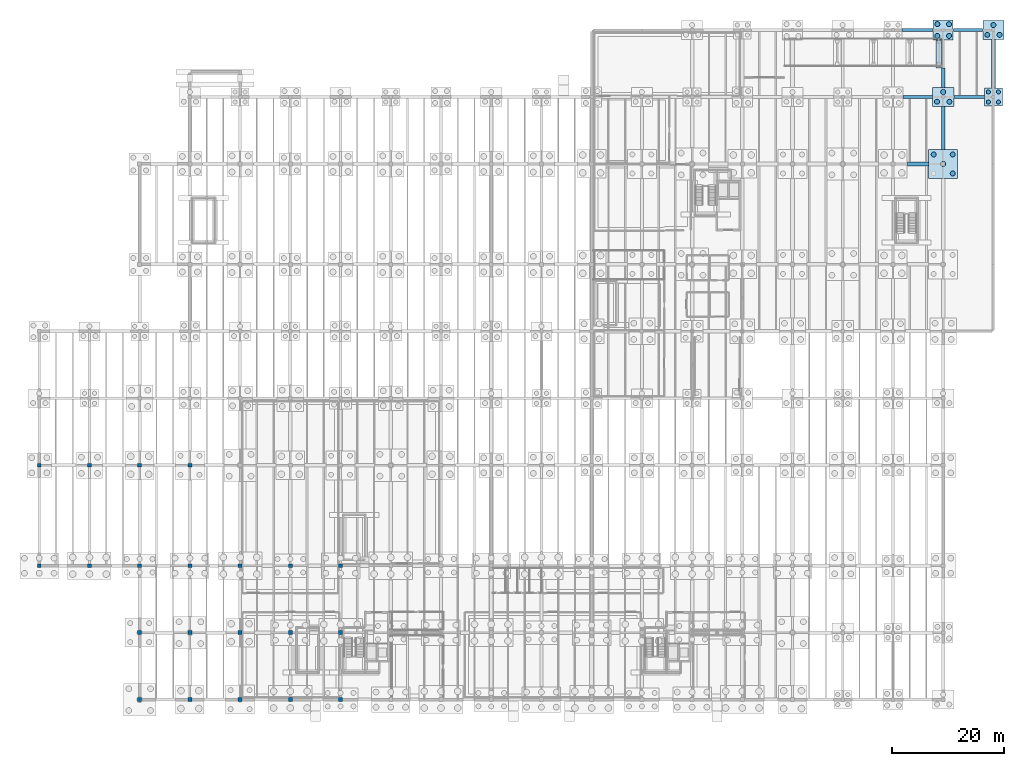
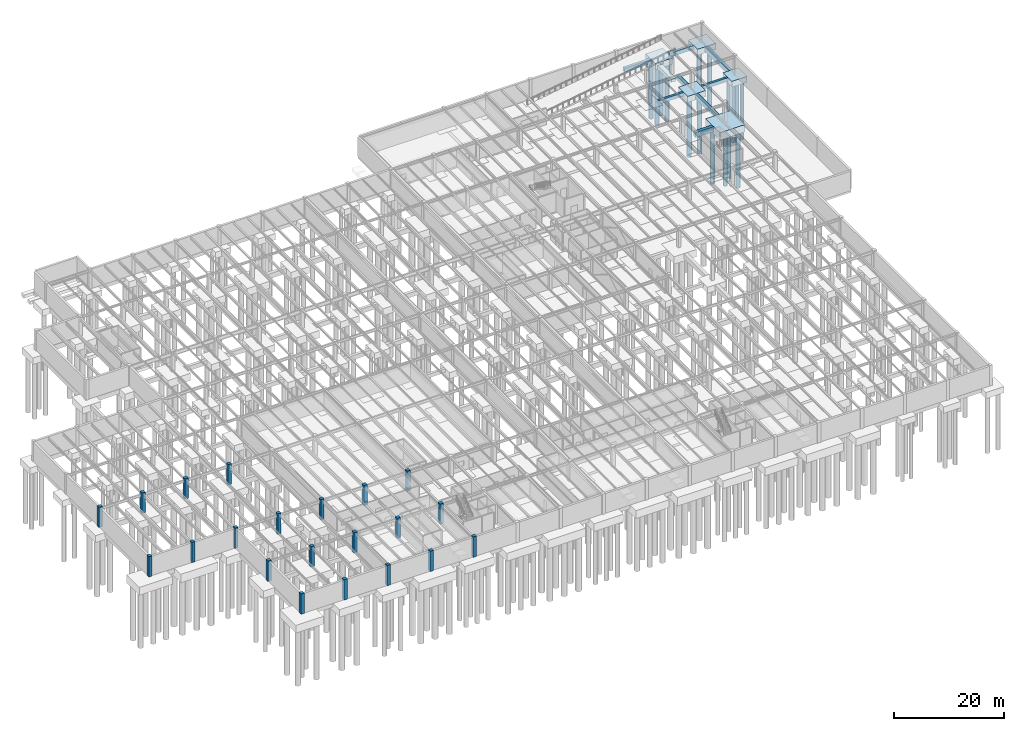
# One storey, part 13 of 40: 21 columns, 18 piles, 14 footings.
"""IFC4 building model written with IfcOpenShell, lengths in metres."""

from ifc_helpers import new_model, si_unit, direction, frame, origin, origin_2d, place, context, subcontext, project, spatial, polyline, rectangle, circle, outline, extrude, material, material_profile, profile_set, type_object, element, save


model = new_model("IFC4")

# Units and contexts
model_context = context("Model", 3, precision=1e-05, world=origin(), true_north=direction((0.0, 1.0)))
body_context = subcontext(model_context, "Body", "Model", "MODEL_VIEW")
ifc_project = project(units=[si_unit("LENGTHUNIT", "METRE"), si_unit("AREAUNIT", "SQUARE_METRE"), si_unit("VOLUMEUNIT", "CUBIC_METRE"), si_unit("PLANEANGLEUNIT", "RADIAN"), si_unit("MASSUNIT", "GRAM", prefix="KILO")], contexts=[model_context])

# Site, building, storey
site_placement = place(None, origin())
site = spatial("IfcSite", under=ifc_project, at=site_placement, CompositionType="ELEMENT")
building_placement = place(site_placement, origin())
building = spatial("IfcBuilding", under=site, at=building_placement, Name="Montelvaro Courts of Justice", CompositionType="ELEMENT")
storey_placement = place(building_placement, frame((0.0, 0.0, -4.5)))
storey = spatial("IfcBuildingStorey", under=building, at=storey_placement, Name="B01", CompositionType="ELEMENT", Elevation=-4.5)

# Piles
ifc_material_1 = material(Name="Concrete C35/45", Category="concrete")
ifc_material_profile_1 = material_profile(ifc_material_1, circle(Radius=0.375, at=origin_2d()), Name="BORED PILE D750")
ifc_profile_set_1 = profile_set([ifc_material_profile_1], Name="Concrete C35/45")
pile_type_1 = type_object("IfcPileType", Name="BoredPile_750", PredefinedType="BORED", material=ifc_profile_set_1)
for number, where, z_axis, x_axis, name in (
    (1, (170.10009765625, 107.10009765625, -1.199951171875), (0.0, 0.0, -1.0), (1.0, 0.0, 0.0), "Bored Pile BP-01 20/I-1"),
    (2, (171.89990234375, 107.10009765625, -1.199951171875), (0.0, 0.0, -1.0), (1.0, 0.0, 0.0), "Bored Pile BP-01 20/I-2"),
    (3, (170.10009765625, 108.89990234375, -1.199951171875), (0.0, 0.0, -1.0), (1.0, 0.0, 0.0), "Bored Pile BP-01 20/I-3"),
    (4, (171.89990234375, 108.89990234375, -1.199951171875), (0.0, 0.0, -1.0), (1.0, 0.0, 0.0), "Bored Pile BP-01 20/I-4"),
):
    element("IfcPile", number, at=place(storey_placement, frame(where, z_axis=z_axis, x_axis=x_axis)), inside=storey, type_object=pile_type_1, Name=name, PredefinedType="BORED", context=body_context, shape_type="SweptSolid", body=[
        extrude(circle(Radius=0.375, at=origin_2d()), origin(), (0.0, 0.0, 1.0), 12.800048828125),
    ])
ifc_material_profile_2 = material_profile(ifc_material_1, circle(Radius=0.449951171875, at=origin_2d()), Name="BORED PILE D900")
ifc_profile_set_2 = profile_set([ifc_material_profile_2], Name="Concrete C35/45")
pile_type_2 = type_object("IfcPileType", Name="BoredPile_900", PredefinedType="BORED", material=ifc_profile_set_2)
for number, where, z_axis, x_axis, name in (
    (5, (163.699951171875, 94.300048828125, -1.5), (0.0, 0.0, -1.0), (1.0, 0.0, 0.0), "Bored Pile BP-02 19/H-2"),
    (6, (162.0, 96.0, -1.5), (0.0, 0.0, -1.0), (1.0, 0.0, 0.0), "Bored Pile BP-02 19/H-3"),
    (7, (160.300048828125, 97.699951171875, -1.5), (0.0, 0.0, -1.0), (1.0, 0.0, 0.0), "Bored Pile BP-02 19/H-4"),
    (8, (163.699951171875, 97.699951171875, -1.5), (0.0, 0.0, -1.0), (1.0, 0.0, 0.0), "Bored Pile BP-02 19/H-5"),
):
    element("IfcPile", number, at=place(storey_placement, frame(where, z_axis=z_axis, x_axis=x_axis)), inside=storey, type_object=pile_type_2, Name=name, PredefinedType="BORED", context=body_context, shape_type="SweptSolid", body=[
        extrude(circle(Radius=0.449951171875, at=origin_2d()), origin(), (0.0, 0.0, 1.0), 12.5),
    ])
for number, where, z_axis, x_axis, name in (
    (9, (160.89990234375, 107.14990234375, -1.25), (0.0, 0.0, -1.0), (1.0, 0.0, 0.0), "Bored Pile BP-02 19/I-1"),
    (10, (163.10009765625, 107.14990234375, -1.25), (0.0, 0.0, -1.0), (1.0, 0.0, 0.0), "Bored Pile BP-02 19/I-2"),
    (11, (162.0, 108.89990234375, -1.25), (0.0, 0.0, -1.0), (1.0, 0.0, 0.0), "Bored Pile BP-02 19/I-3"),
):
    element("IfcPile", number, at=place(storey_placement, frame(where, z_axis=z_axis, x_axis=x_axis)), inside=storey, type_object=pile_type_2, Name=name, PredefinedType="BORED", context=body_context, shape_type="SweptSolid", body=[
        extrude(circle(Radius=0.449951171875, at=origin_2d()), origin(), (0.0, 0.0, 1.0), 12.75),
    ])
for number, where, z_axis, x_axis, name in (
    (12, (160.949951171875, 118.949951171875, -1.300048828125), (0.0, 0.0, -1.0), (1.0, 0.0, 0.0), "Bored Pile BP-02 19/J-1"),
    (13, (163.050048828125, 118.949951171875, -1.300048828125), (0.0, 0.0, -1.0), (1.0, 0.0, 0.0), "Bored Pile BP-02 19/J-2"),
    (14, (160.949951171875, 121.050048828125, -1.300048828125), (0.0, 0.0, -1.0), (1.0, 0.0, 0.0), "Bored Pile BP-02 19/J-3"),
    (15, (163.050048828125, 121.050048828125, -1.300048828125), (0.0, 0.0, -1.0), (1.0, 0.0, 0.0), "Bored Pile BP-02 19/J-4"),
):
    element("IfcPile", number, at=place(storey_placement, frame(where, z_axis=z_axis, x_axis=x_axis)), inside=storey, type_object=pile_type_2, Name=name, PredefinedType="BORED", context=body_context, shape_type="SweptSolid", body=[
        extrude(circle(Radius=0.449951171875, at=origin_2d()), origin(), (0.0, 0.0, 1.0), 12.699951171875),
    ])
for number, where, z_axis, x_axis, name in (
    (16, (169.89990234375, 119.14990234375, -1.25), (0.0, 0.0, -1.0), (1.0, 0.0, 0.0), "Bored Pile BP-02 20/J-1"),
    (17, (172.10009765625, 119.14990234375, -1.25), (0.0, 0.0, -1.0), (1.0, 0.0, 0.0), "Bored Pile BP-02 20/J-2"),
    (18, (171.0, 120.89990234375, -1.25), (0.0, 0.0, -1.0), (1.0, 0.0, 0.0), "Bored Pile BP-02 20/J-3"),
):
    element("IfcPile", number, at=place(storey_placement, frame(where, z_axis=z_axis, x_axis=x_axis)), inside=storey, type_object=pile_type_2, Name=name, PredefinedType="BORED", context=body_context, shape_type="SweptSolid", body=[
        extrude(circle(Radius=0.449951171875, at=origin_2d()), origin(), (0.0, 0.0, 1.0), 12.75),
    ])

# Footings
footing_type_1 = type_object("IfcFootingType", Name="GroundBeam_500x800", PredefinedType="FOOTING_BEAM", material=ifc_material_1)
footing_1_placement = place(storey_placement, frame((0.0, 0.0, -0.800048828125)))
element("IfcFooting", 19, at=footing_1_placement, inside=storey, type_object=footing_type_1, Name="Foundation Ground Beam GB-01", PredefinedType="FOOTING_BEAM", context=body_context, shape_type="SweptSolid", body=[
    extrude(outline(polyline([(154.820068359375, 107.75), (160.080078125, 107.75), (160.080078125, 108.25), (154.820068359375, 108.25), (154.820068359375, 107.75)])), origin(), (0.0, 0.0, 1.0), 0.800048828125),
])
footing_2_placement = place(storey_placement, frame((0.0, 0.0, -0.800048828125)))
element("IfcFooting", 20, at=footing_2_placement, inside=storey, type_object=footing_type_1, Name="Foundation Ground Beam GB-01", PredefinedType="FOOTING_BEAM", context=body_context, shape_type="SweptSolid", body=[
    extrude(outline(polyline([(163.919921875, 107.75), (169.3798828125, 107.75), (169.3798828125, 108.25), (163.919921875, 108.25), (163.919921875, 107.75)])), origin(), (0.0, 0.0, 1.0), 0.800048828125),
])
footing_type_2 = type_object("IfcFootingType", Name="GroundBeam_600x1000", PredefinedType="FOOTING_BEAM", material=ifc_material_1)
footing_3_placement = place(storey_placement, frame((0.0, 0.0, -1.0)))
element("IfcFooting", 21, at=footing_3_placement, inside=storey, type_object=footing_type_2, Name="Foundation Ground Beam GB-03", PredefinedType="FOOTING_BEAM", context=body_context, shape_type="SweptSolid", body=[
    extrude(outline(polyline([(161.699951171875, 98.6201171875), (162.300048828125, 98.6201171875), (162.300048828125, 106.280029296875), (161.699951171875, 106.280029296875), (161.699951171875, 98.6201171875)])), origin(), (0.0, 0.0, 1.0), 1.0),
])
footing_4_placement = place(storey_placement, frame((0.0, 0.0, -1.0)))
element("IfcFooting", 22, at=footing_4_placement, inside=storey, type_object=footing_type_2, Name="Foundation Ground Beam GB-03", PredefinedType="FOOTING_BEAM", context=body_context, shape_type="SweptSolid", body=[
    extrude(outline(polyline([(161.699951171875, 109.719970703125), (162.300048828125, 109.719970703125), (162.300048828125, 113.179931640625), (161.699951171875, 113.179931640625), (161.699951171875, 109.719970703125)])), origin(), (0.0, 0.0, 1.0), 1.0),
])
footing_type_3 = type_object("IfcFootingType", Name="GroundBeam_600x900", PredefinedType="FOOTING_BEAM", material=ifc_material_1)
footing_5_placement = place(storey_placement, frame((0.0, 0.0, -0.89990234375)))
element("IfcFooting", 23, at=footing_5_placement, inside=storey, type_object=footing_type_3, Name="Foundation Ground Beam GB-02", PredefinedType="FOOTING_BEAM", context=body_context, shape_type="SweptSolid", body=[
    extrude(outline(polyline([(154.6201171875, 119.699951171875), (160.179931640625, 119.699951171875), (160.179931640625, 120.300048828125), (154.6201171875, 120.300048828125), (154.6201171875, 119.699951171875)])), origin(), (0.0, 0.0, 1.0), 0.89990234375),
])
footing_6_placement = place(storey_placement, frame((0.0, 0.0, -0.89990234375)))
element("IfcFooting", 24, at=footing_6_placement, inside=storey, type_object=footing_type_3, Name="Foundation Ground Beam GB-02", PredefinedType="FOOTING_BEAM", context=body_context, shape_type="SweptSolid", body=[
    extrude(outline(polyline([(163.820068359375, 119.699951171875), (169.080078125, 119.699951171875), (169.080078125, 120.300048828125), (163.820068359375, 120.300048828125), (163.820068359375, 119.699951171875)])), origin(), (0.0, 0.0, 1.0), 0.89990234375),
])
footing_type_4 = type_object("IfcFootingType", Name="GroundBeam_700x1100", PredefinedType="FOOTING_BEAM", material=ifc_material_1)
footing_7_placement = place(storey_placement, frame((0.0, 0.0, -1.10009765625)))
element("IfcFooting", 25, at=footing_7_placement, inside=storey, type_object=footing_type_4, Name="Foundation Ground Beam GB-04", PredefinedType="FOOTING_BEAM", context=body_context, shape_type="SweptSolid", body=[
    extrude(outline(polyline([(155.570068359375, 95.64990234375), (159.3798828125, 95.64990234375), (159.3798828125, 96.35009765625), (155.570068359375, 96.35009765625), (155.570068359375, 95.64990234375)])), origin(), (0.0, 0.0, 1.0), 1.10009765625),
])
footing_8_placement = place(storey_placement, frame((0.0, 0.0, -1.10009765625)))
element("IfcFooting", 26, at=footing_8_placement, inside=storey, type_object=footing_type_4, Name="Foundation Ground Beam GB-04", PredefinedType="FOOTING_BEAM", context=body_context, shape_type="SweptSolid", body=[
    extrude(outline(polyline([(170.64990234375, 109.6201171875), (171.35009765625, 109.6201171875), (171.35009765625, 118.280029296875), (170.64990234375, 118.280029296875), (170.64990234375, 109.6201171875)])), origin(), (0.0, 0.0, 1.0), 1.10009765625),
])
footing_type_5 = type_object("IfcFootingType", Name="PileCap_3P_380x340x135", PredefinedType="PILE_CAP", material=ifc_material_1)
for number, where, z_axis, x_axis, name in (
    (27, (162.0, 108.0, -1.35009765625), (0.0, 0.0, 1.0), (1.0, 0.0, 0.0), "Pile Cap PC-07 at 19/I"),
    (28, (171.0, 120.0, -1.35009765625), (0.0, 0.0, 1.0), (1.0, 0.0, 0.0), "Pile Cap PC-07 at 20/J"),
):
    element("IfcFooting", number, at=place(storey_placement, frame(where, z_axis=z_axis, x_axis=x_axis)), inside=storey, type_object=footing_type_5, Name=name, PredefinedType="PILE_CAP", context=body_context, shape_type="SweptSolid", body=[
        extrude(rectangle(XDim=3.800048828125, YDim=3.39990234375, at=origin_2d()), origin(), (0.0, 0.0, 1.0), 1.35009765625),
    ])
footing_type_6 = type_object("IfcFootingType", Name="PileCap_4P_320x320x130", PredefinedType="PILE_CAP", material=ifc_material_1)
footing_9_placement = place(storey_placement, frame((171.0, 108.0, -1.2998046875), z_axis=(0.0, 0.0, 1.0), x_axis=(1.0, 0.0, 0.0)))
element("IfcFooting", 29, at=footing_9_placement, inside=storey, type_object=footing_type_6, Name="Pile Cap PC-08 at 20/I", PredefinedType="PILE_CAP", context=body_context, shape_type="SweptSolid", body=[
    extrude(rectangle(XDim=3.199951171875, YDim=3.199951171875, at=origin_2d()), origin(), (0.0, 0.0, 1.0), 1.300048828125),
])
footing_type_7 = type_object("IfcFootingType", Name="PileCap_4P_360x360x140", PredefinedType="PILE_CAP", material=ifc_material_1)
footing_10_placement = place(storey_placement, frame((162.0, 120.0, -1.39990234375), z_axis=(0.0, 0.0, 1.0), x_axis=(1.0, 0.0, 0.0)))
element("IfcFooting", 30, at=footing_10_placement, inside=storey, type_object=footing_type_7, Name="Pile Cap PC-09 at 19/J", PredefinedType="PILE_CAP", context=body_context, shape_type="SweptSolid", body=[
    extrude(rectangle(XDim=3.60009765625, YDim=3.60009765625, at=origin_2d()), origin(), (0.0, 0.0, 1.0), 1.39990234375),
])
footing_type_8 = type_object("IfcFootingType", Name="PileCap_5P_520x520x160", PredefinedType="PILE_CAP", material=ifc_material_1)
footing_11_placement = place(storey_placement, frame((162.0, 96.0, -1.60009765625), z_axis=(0.0, 0.0, 1.0), x_axis=(1.0, 0.0, 0.0)))
element("IfcFooting", 31, at=footing_11_placement, inside=storey, type_object=footing_type_8, Name="Pile Cap PC-14 at 19/H", PredefinedType="PILE_CAP", context=body_context, shape_type="SweptSolid", body=[
    extrude(rectangle(XDim=5.199951171875, YDim=5.199951171875, at=origin_2d()), origin(), (0.0, 0.0, 1.0), 1.60009765625),
])
footing_type_9 = type_object("IfcFootingType", Name="StripFooting_1000x700", PredefinedType="STRIP_FOOTING", material=ifc_material_1)
footing_12_placement = place(storey_placement, frame((0.0, 0.0, -1.300048828125)))
element("IfcFooting", 32, at=footing_12_placement, inside=storey, type_object=footing_type_9, Name="Ramp VR-01 Top Foundation", PredefinedType="STRIP_FOOTING", context=body_context, shape_type="SweptSolid", body=[
    extrude(outline(polyline([(160.679931640625, 113.199951171875), (161.679931640625, 113.199951171875), (161.679931640625, 118.179931640625), (160.679931640625, 118.179931640625), (160.679931640625, 113.199951171875)])), origin(), (0.0, 0.0, 1.0), 0.699951171875),
])

# Columns
ifc_material_2 = material(Name="Concrete C40/50", Category="concrete")
ifc_material_profile_3 = material_profile(ifc_material_2, rectangle(XDim=0.699951171875, YDim=0.699951171875, at=origin_2d()), Name="RC 700x700")
ifc_profile_set_3 = profile_set([ifc_material_profile_3], Name="Concrete C40/50")
column_type = type_object("IfcColumnType", Name="Col_RC700", PredefinedType="COLUMN", material=ifc_profile_set_3)
for number, where, z_axis, x_axis, name in (
    (33, (0.0, 24.0, 0.0), (0.0, 0.0, 1.0), (1.0, 0.0, 0.0), "Column C-22 B01 1/C"),
    (34, (0.0, 42.0, 0.0), (0.0, 0.0, 1.0), (1.0, 0.0, 0.0), "Column C-22 B01 1/D"),
    (35, (9.0, 24.0, 0.0), (0.0, 0.0, 1.0), (1.0, 0.0, 0.0), "Column C-22 B01 2/C"),
    (36, (9.0, 42.0, 0.0), (0.0, 0.0, 1.0), (1.0, 0.0, 0.0), "Column C-22 B01 2/D"),
    (37, (18.0, 0.0, 0.0), (0.0, 0.0, 1.0), (1.0, 0.0, 0.0), "Column C-22 B01 3/A"),
    (38, (18.0, 12.0, 0.0), (0.0, 0.0, 1.0), (1.0, 0.0, 0.0), "Column C-22 B01 3/B"),
    (39, (18.0, 24.0, 0.0), (0.0, 0.0, 1.0), (1.0, 0.0, 0.0), "Column C-22 B01 3/C"),
    (40, (18.0, 42.0, 0.0), (0.0, 0.0, 1.0), (1.0, 0.0, 0.0), "Column C-22 B01 3/D"),
    (41, (27.0, 0.0, 0.0), (0.0, 0.0, 1.0), (1.0, 0.0, 0.0), "Column C-22 B01 4/A"),
    (42, (27.0, 12.0, 0.0), (0.0, 0.0, 1.0), (1.0, 0.0, 0.0), "Column C-22 B01 4/B"),
    (43, (27.0, 24.0, 0.0), (0.0, 0.0, 1.0), (1.0, 0.0, 0.0), "Column C-22 B01 4/C"),
    (44, (27.0, 42.0, 0.0), (0.0, 0.0, 1.0), (1.0, 0.0, 0.0), "Column C-22 B01 4/D"),
    (45, (36.0, 0.0, 0.0), (0.0, 0.0, 1.0), (1.0, 0.0, 0.0), "Column C-22 B01 5/A"),
    (46, (36.0, 12.0, 0.0), (0.0, 0.0, 1.0), (1.0, 0.0, 0.0), "Column C-22 B01 5/B"),
    (47, (36.0, 24.0, 0.0), (0.0, 0.0, 1.0), (1.0, 0.0, 0.0), "Column C-22 B01 5/C"),
    (48, (45.0, 0.0, 0.0), (0.0, 0.0, 1.0), (1.0, 0.0, 0.0), "Column C-22 B01 6/A"),
    (49, (45.0, 12.0, 0.0), (0.0, 0.0, 1.0), (1.0, 0.0, 0.0), "Column C-22 B01 6/B"),
    (50, (45.0, 24.0, 0.0), (0.0, 0.0, 1.0), (1.0, 0.0, 0.0), "Column C-22 B01 6/C"),
    (51, (54.0, 0.0, 0.0), (0.0, 0.0, 1.0), (1.0, 0.0, 0.0), "Column C-22 B01 7/A"),
    (52, (54.0, 12.0, 0.0), (0.0, 0.0, 1.0), (1.0, 0.0, 0.0), "Column C-22 B01 7/B"),
    (53, (54.0, 24.0, 0.0), (0.0, 0.0, 1.0), (1.0, 0.0, 0.0), "Column C-22 B01 7/C"),
):
    element("IfcColumn", number, at=place(storey_placement, frame(where, z_axis=z_axis, x_axis=x_axis)), inside=storey, type_object=column_type, Name=name, PredefinedType="COLUMN", context=body_context, shape_type="SweptSolid", body=[
        extrude(rectangle(XDim=0.699951171875, YDim=0.699951171875, at=origin_2d()), origin(), (0.0, 0.0, 1.0), 4.5),
    ])

save(model, "model.ifc")
